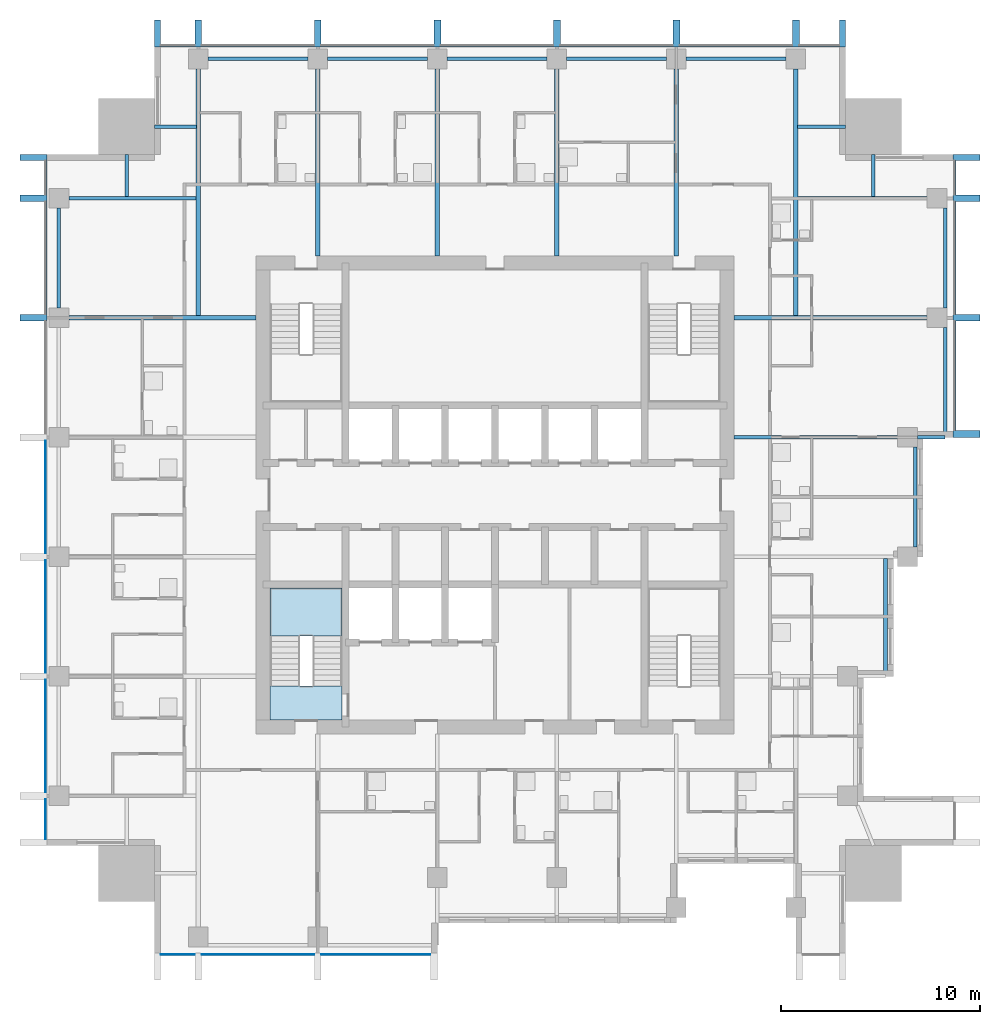
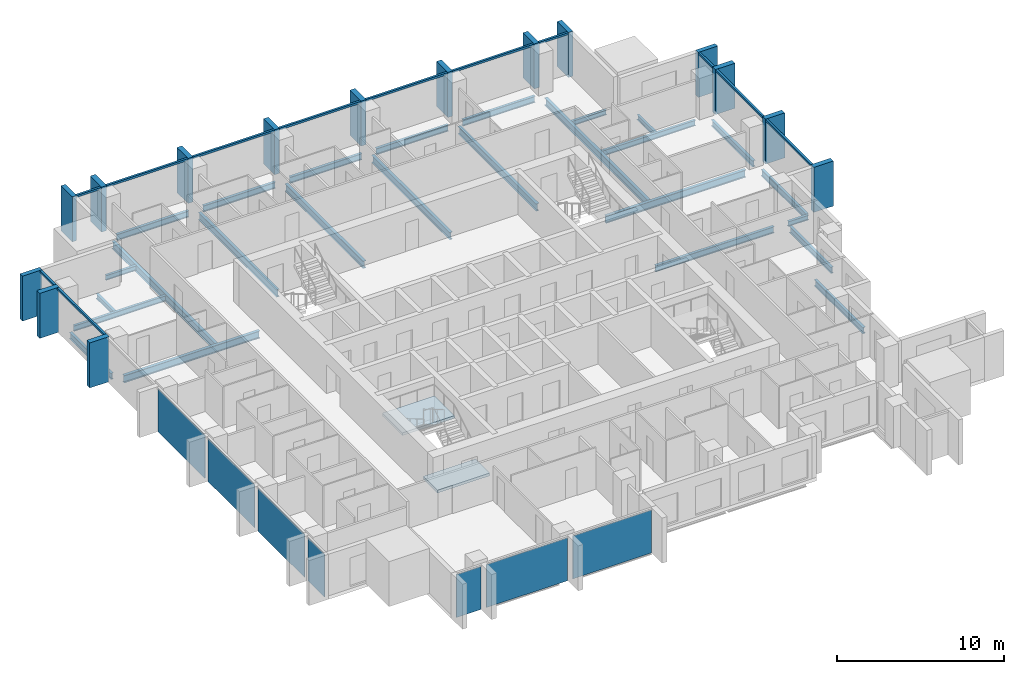
# One storey, part 2 of 10: 27 members, 26 beams, 7 plates, 2 slabs, 5 elements without a shape of their own.
"""IFC4 building model written with IfcOpenShell, lengths in metres."""

from ifc_helpers import new_model, si_unit, direction, frame, origin, origin_2d, place, context, subcontext, project, spatial, polyline, rectangle, i_section, outline, extrude, material, layer, layer_set, material_profile, profile_set, type_object, element, aggregate, save


model = new_model("IFC4")

# Units and contexts
model_context = context("Model", 3, precision=1e-05, world=origin(), true_north=direction((0.0, 1.0)))
body_context = subcontext(model_context, "Body", "Model", "MODEL_VIEW")
ifc_project = project(units=[si_unit("LENGTHUNIT", "METRE"), si_unit("AREAUNIT", "SQUARE_METRE"), si_unit("VOLUMEUNIT", "CUBIC_METRE"), si_unit("PLANEANGLEUNIT", "RADIAN"), si_unit("MASSUNIT", "GRAM", prefix="KILO")], contexts=[model_context])

# Site, building, storey
site_placement = place(None, origin())
site = spatial("IfcSite", under=ifc_project, at=site_placement, CompositionType="ELEMENT")
building_placement = place(site_placement, origin())
building = spatial("IfcBuilding", under=site, at=building_placement, Name="Amberfall Residences", CompositionType="ELEMENT")
storey_placement = place(building_placement, frame((0.0, 0.0, 158.199951171875)))
storey = spatial("IfcBuildingStorey", under=building, at=storey_placement, Name="L42", CompositionType="ELEMENT", Elevation=158.199951171875)

# Curtain wall, members
ifc_material_1 = material(Name="Bronze anodised aluminium and glass", Category="aluminium")
curtain_wall_type = type_object("IfcCurtainWallType", Name="Curtain wall CW1 tower unit", PredefinedType="USERDEFINED", material=ifc_material_1)
curtain_wall_1_placement = place(storey_placement, origin())
curtain_wall_1 = element("IfcCurtainWall", 1, at=curtain_wall_1_placement, inside=storey, type_object=curtain_wall_type, Name="Curtain wall L42 E E9", ObjectType="UNITISED CURTAIN WALL", PredefinedType="USERDEFINED")
ifc_material_2 = material(Name="Bronze anodised aluminium", Category="aluminium")
ifc_material_profile_1 = material_profile(ifc_material_2, rectangle(XDim=0.14990234375, YDim=0.14990234375, at=origin_2d()), Name="CW1 transom 150 x 150 bronze")
ifc_profile_set_1 = profile_set([ifc_material_profile_1], Name="Bronze anodised aluminium")
member_type_1 = type_object("IfcMemberType", Name="CW1 transom 150 x 150 bronze", PredefinedType="USERDEFINED", material=ifc_profile_set_1)
member_1_placement = place(storey_placement, frame((97.574951171875, 48.75, 2.97509765625), z_axis=(0.0, 1.0, 0.0), x_axis=(-1.0, 0.0, 0.0)))
member_1 = element("IfcMember", 2, at=member_1_placement, type_object=member_type_1, Name="CW1 transom 1.1", ObjectType="TRANSOM", PredefinedType="USERDEFINED", context=body_context, shape_type="SweptSolid", body=[
    extrude(rectangle(XDim=0.14990234375, YDim=0.14990234375, at=origin_2d()), origin(), (0.0, 0.0, 1.0), 5.47509765625),
])
member_2_placement = place(storey_placement, frame((97.574951171875, 54.574951171875, 2.97509765625), z_axis=(0.0, 1.0, 0.0), x_axis=(-1.0, 0.0, 0.0)))
member_2 = element("IfcMember", 3, at=member_2_placement, type_object=member_type_1, Name="CW1 transom 2.1", ObjectType="TRANSOM", PredefinedType="USERDEFINED", context=body_context, shape_type="SweptSolid", body=[
    extrude(rectangle(XDim=0.14990234375, YDim=0.14990234375, at=origin_2d()), origin(), (0.0, 0.0, 1.0), 5.650146484375),
])
member_3_placement = place(storey_placement, frame((97.574951171875, 60.574951171875, 2.97509765625), z_axis=(0.0, 1.0, 0.0), x_axis=(-1.0, 0.0, 0.0)))
member_3 = element("IfcMember", 4, at=member_3_placement, type_object=member_type_1, Name="CW1 transom 3.1", ObjectType="TRANSOM", PredefinedType="USERDEFINED", context=body_context, shape_type="SweptSolid", body=[
    extrude(rectangle(XDim=0.14990234375, YDim=0.14990234375, at=origin_2d()), origin(), (0.0, 0.0, 1.0), 1.72509765625),
])

curtain_wall_2_placement = place(storey_placement, origin())
curtain_wall_2 = element("IfcCurtainWall", 5, at=curtain_wall_2_placement, inside=storey, type_object=curtain_wall_type, Name="Curtain wall L42 N N1", ObjectType="UNITISED CURTAIN WALL", PredefinedType="USERDEFINED")
member_4_placement = place(storey_placement, frame((91.800048828125, 68.074951171875, 2.97509765625), z_axis=(-1.0, 0.0, 0.0), x_axis=(0.0, -1.0, 0.0)))
member_4 = element("IfcMember", 6, at=member_4_placement, type_object=member_type_1, Name="CW1 transom 1.1", ObjectType="TRANSOM", PredefinedType="USERDEFINED", context=body_context, shape_type="SweptSolid", body=[
    extrude(rectangle(XDim=0.14990234375, YDim=0.14990234375, at=origin_2d()), origin(), (0.0, 0.0, 1.0), 2.025146484375),
])
member_5_placement = place(storey_placement, frame((89.425048828125, 68.074951171875, 2.97509765625), z_axis=(-1.0, 0.0, 0.0), x_axis=(0.0, -1.0, 0.0)))
member_5 = element("IfcMember", 7, at=member_5_placement, type_object=member_type_1, Name="CW1 transom 2.1", ObjectType="TRANSOM", PredefinedType="USERDEFINED", context=body_context, shape_type="SweptSolid", body=[
    extrude(rectangle(XDim=0.14990234375, YDim=0.14990234375, at=origin_2d()), origin(), (0.0, 0.0, 1.0), 5.650146484375),
])
member_6_placement = place(storey_placement, frame((83.425048828125, 68.074951171875, 2.97509765625), z_axis=(-1.0, 0.0, 0.0), x_axis=(0.0, -1.0, 0.0)))
member_6 = element("IfcMember", 8, at=member_6_placement, type_object=member_type_1, Name="CW1 transom 3.1", ObjectType="TRANSOM", PredefinedType="USERDEFINED", context=body_context, shape_type="SweptSolid", body=[
    extrude(rectangle(XDim=0.14990234375, YDim=0.14990234375, at=origin_2d()), origin(), (0.0, 0.0, 1.0), 5.650146484375),
])
member_7_placement = place(storey_placement, frame((77.425048828125, 68.074951171875, 2.97509765625), z_axis=(-1.0, 0.0, 0.0), x_axis=(0.0, -1.0, 0.0)))
member_7 = element("IfcMember", 9, at=member_7_placement, type_object=member_type_1, Name="CW1 transom 4.1", ObjectType="TRANSOM", PredefinedType="USERDEFINED", context=body_context, shape_type="SweptSolid", body=[
    extrude(rectangle(XDim=0.14990234375, YDim=0.14990234375, at=origin_2d()), origin(), (0.0, 0.0, 1.0), 5.650146484375),
])
member_8_placement = place(storey_placement, frame((71.425048828125, 68.074951171875, 2.97509765625), z_axis=(-1.0, 0.0, 0.0), x_axis=(0.0, -1.0, 0.0)))
member_8 = element("IfcMember", 10, at=member_8_placement, type_object=member_type_1, Name="CW1 transom 5.1", ObjectType="TRANSOM", PredefinedType="USERDEFINED", context=body_context, shape_type="SweptSolid", body=[
    extrude(rectangle(XDim=0.14990234375, YDim=0.14990234375, at=origin_2d()), origin(), (0.0, 0.0, 1.0), 5.650146484375),
])
member_9_placement = place(storey_placement, frame((65.425048828125, 68.074951171875, 2.97509765625), z_axis=(-1.0, 0.0, 0.0), x_axis=(0.0, -1.0, 0.0)))
member_9 = element("IfcMember", 11, at=member_9_placement, type_object=member_type_1, Name="CW1 transom 6.1", ObjectType="TRANSOM", PredefinedType="USERDEFINED", context=body_context, shape_type="SweptSolid", body=[
    extrude(rectangle(XDim=0.14990234375, YDim=0.14990234375, at=origin_2d()), origin(), (0.0, 0.0, 1.0), 5.650146484375),
])
member_10_placement = place(storey_placement, frame((59.425048828125, 68.074951171875, 2.97509765625), z_axis=(-1.0, 0.0, 0.0), x_axis=(0.0, -1.0, 0.0)))
member_10 = element("IfcMember", 12, at=member_10_placement, type_object=member_type_1, Name="CW1 transom 7.1", ObjectType="TRANSOM", PredefinedType="USERDEFINED", context=body_context, shape_type="SweptSolid", body=[
    extrude(rectangle(XDim=0.14990234375, YDim=0.14990234375, at=origin_2d()), origin(), (0.0, 0.0, 1.0), 1.72509765625),
])

curtain_wall_3_placement = place(storey_placement, origin())
curtain_wall_3 = element("IfcCurtainWall", 13, at=curtain_wall_3_placement, inside=storey, type_object=curtain_wall_type, Name="Curtain wall L42 W W1", ObjectType="UNITISED CURTAIN WALL", PredefinedType="USERDEFINED")
member_11_placement = place(storey_placement, frame((51.925048828125, 62.300048828125, 2.97509765625), z_axis=(0.0, -1.0, 0.0), x_axis=(1.0, 0.0, 0.0)))
member_11 = element("IfcMember", 14, at=member_11_placement, type_object=member_type_1, Name="CW1 transom 1.1", ObjectType="TRANSOM", PredefinedType="USERDEFINED", context=body_context, shape_type="SweptSolid", body=[
    extrude(rectangle(XDim=0.14990234375, YDim=0.14990234375, at=origin_2d()), origin(), (0.0, 0.0, 1.0), 1.72509765625),
])
member_12_placement = place(storey_placement, frame((51.925048828125, 60.22509765625, 2.97509765625), z_axis=(0.0, -1.0, 0.0), x_axis=(1.0, 0.0, 0.0)))
member_12 = element("IfcMember", 15, at=member_12_placement, type_object=member_type_1, Name="CW1 transom 2.1", ObjectType="TRANSOM", PredefinedType="USERDEFINED", context=body_context, shape_type="SweptSolid", body=[
    extrude(rectangle(XDim=0.14990234375, YDim=0.14990234375, at=origin_2d()), origin(), (0.0, 0.0, 1.0), 5.650146484375),
])

# Beam
ifc_material_3 = material(Name="Steel S355", Category="steel")
ifc_material_profile_2 = material_profile(ifc_material_3, i_section(OverallWidth=0.171142578125, OverallDepth=0.351318359375, WebThickness=0.007080078125, FlangeThickness=0.009765625, FilletRadius=0.01025390625, at=origin_2d()), Name="UB 356x171x45")
ifc_profile_set_2 = profile_set([ifc_material_profile_2], Name="Steel S355")
beam_type_1 = type_object("IfcBeamType", Name="Cantilever girder UB 356x171x45", PredefinedType="BEAM", material=ifc_profile_set_2)
beam_1_placement = place(storey_placement, frame((95.699951171875, 48.39990234375, -0.425537109375), z_axis=(1.0, 0.0, 0.0), x_axis=(0.0, 1.0, 0.0)))
element("IfcBeam", 16, at=beam_1_placement, inside=storey, type_object=beam_type_1, Name="Cantilever girder B8 L42 20", PredefinedType="BEAM", context=body_context, shape_type="SweptSolid", body=[
    extrude(i_section(OverallWidth=0.171142578125, OverallDepth=0.351318359375, WebThickness=0.007080078125, FlangeThickness=0.009765625, FilletRadius=0.01025390625, at=origin_2d()), origin(), (0.0, 0.0, 1.0), 1.400146484375),
])

# Member
ifc_material_profile_3 = material_profile(ifc_material_2, rectangle(XDim=1.35009765625, YDim=0.300048828125, at=origin_2d()), Name="Corner fin 300 x 1350 bronze")
ifc_profile_set_3 = profile_set([ifc_material_profile_3], Name="Bronze anodised aluminium")
member_type_2 = type_object("IfcMemberType", Name="Corner fin 300 x 1350 bronze", PredefinedType="MULLION", material=ifc_profile_set_3)
member_13_placement = place(storey_placement, frame((98.175048828125, 62.449951171875, -0.25), z_axis=(0.0, 0.0, 1.0), x_axis=(-1.0, 0.0, 0.0)))
member_13 = element("IfcMember", 17, at=member_13_placement, type_object=member_type_2, Name="CW FIN 4", PredefinedType="MULLION", context=body_context, shape_type="SweptSolid", body=[
    extrude(rectangle(XDim=1.35009765625, YDim=0.300048828125, at=origin_2d()), origin(), (0.0, 0.0, 1.0), 3.300048828125),
])

member_14_placement = place(storey_placement, frame((91.949951171875, 68.675048828125, -0.25), z_axis=(0.0, 0.0, 1.0), x_axis=(0.0, -1.0, 0.0)))
member_14 = element("IfcMember", 18, at=member_14_placement, type_object=member_type_2, Name="CW FIN 1", PredefinedType="MULLION", context=body_context, shape_type="SweptSolid", body=[
    extrude(rectangle(XDim=1.35009765625, YDim=0.300048828125, at=origin_2d()), origin(), (0.0, 0.0, 1.0), 3.300048828125),
])

member_15_placement = place(storey_placement, frame((57.550048828125, 68.675048828125, -0.25), z_axis=(0.0, 0.0, 1.0), x_axis=(0.0, -1.0, 0.0)))
member_15 = element("IfcMember", 19, at=member_15_placement, type_object=member_type_2, Name="CW FIN 8", PredefinedType="MULLION", context=body_context, shape_type="SweptSolid", body=[
    extrude(rectangle(XDim=1.35009765625, YDim=0.300048828125, at=origin_2d()), origin(), (0.0, 0.0, 1.0), 3.300048828125),
])

member_16_placement = place(storey_placement, frame((51.324951171875, 62.449951171875, -0.25), z_axis=(0.0, 0.0, 1.0), x_axis=(1.0, 0.0, 0.0)))
member_16 = element("IfcMember", 20, at=member_16_placement, type_object=member_type_2, Name="CW FIN 1", PredefinedType="MULLION", context=body_context, shape_type="SweptSolid", body=[
    extrude(rectangle(XDim=1.35009765625, YDim=0.300048828125, at=origin_2d()), origin(), (0.0, 0.0, 1.0), 3.300048828125),
])

# Beams
ifc_material_profile_4 = material_profile(ifc_material_3, i_section(OverallWidth=0.18994140625, OverallDepth=0.453369140625, WebThickness=0.008544921875, FlangeThickness=0.0126953125, FilletRadius=0.01025390625, at=origin_2d()), Name="UB 457x191x67")
ifc_profile_set_4 = profile_set([ifc_material_profile_4], Name="Steel S355")
beam_type_2 = type_object("IfcBeamType", Name="Edge beam UB 457x191x67", PredefinedType="SPANDREL", material=ifc_profile_set_4)
beam_2_placement = place(storey_placement, frame((94.10009765625, 36.47998046875, -0.4765625), z_axis=(0.0, 1.0, 0.0), x_axis=(-1.0, 0.0, 0.0)))
element("IfcBeam", 21, at=beam_2_placement, inside=storey, type_object=beam_type_2, Name="Edge beam B1 L42 15", PredefinedType="SPANDREL", context=body_context, shape_type="SweptSolid", body=[
    extrude(i_section(OverallWidth=0.18994140625, OverallDepth=0.453369140625, WebThickness=0.008544921875, FlangeThickness=0.0126953125, FilletRadius=0.01025390625, at=origin_2d()), origin(), (0.0, 0.0, 1.0), 5.840087890625),
])
beam_3_placement = place(storey_placement, frame((95.60009765625, 42.89990234375, -0.4765625), z_axis=(0.0, 1.0, 0.0), x_axis=(-1.0, 0.0, 0.0)))
element("IfcBeam", 22, at=beam_3_placement, inside=storey, type_object=beam_type_2, Name="Edge beam B1 L42 16", PredefinedType="SPANDREL", context=body_context, shape_type="SweptSolid", body=[
    extrude(i_section(OverallWidth=0.18994140625, OverallDepth=0.453369140625, WebThickness=0.008544921875, FlangeThickness=0.0126953125, FilletRadius=0.01025390625, at=origin_2d()), origin(), (0.0, 0.0, 1.0), 5.0),
])
beam_4_placement = place(storey_placement, frame((97.10009765625, 48.47998046875, -0.4765625), z_axis=(0.0, 1.0, 0.0), x_axis=(-1.0, 0.0, 0.0)))
element("IfcBeam", 23, at=beam_4_placement, inside=storey, type_object=beam_type_2, Name="Edge beam B1 L42 17", PredefinedType="SPANDREL", context=body_context, shape_type="SweptSolid", body=[
    extrude(i_section(OverallWidth=0.18994140625, OverallDepth=0.453369140625, WebThickness=0.008544921875, FlangeThickness=0.0126953125, FilletRadius=0.01025390625, at=origin_2d()), origin(), (0.0, 0.0, 1.0), 5.419921875),
])
for number, where, z_axis, x_axis, name in (
    (24, (97.10009765625, 54.89990234375, -0.4765625), (0.0, 1.0, 0.0), (-1.0, 0.0, 0.0), "Edge beam B1 L42 18"),
    (25, (60.10009765625, 67.39990234375, -0.4765625), (1.0, 0.0, 0.0), (0.0, 1.0, 0.0), "Edge beam B1 L42 27"),
    (26, (66.10009765625, 67.39990234375, -0.4765625), (1.0, 0.0, 0.0), (0.0, 1.0, 0.0), "Edge beam B1 L42 28"),
    (27, (72.10009765625, 67.39990234375, -0.4765625), (1.0, 0.0, 0.0), (0.0, 1.0, 0.0), "Edge beam B1 L42 29"),
    (28, (78.10009765625, 67.39990234375, -0.4765625), (1.0, 0.0, 0.0), (0.0, 1.0, 0.0), "Edge beam B1 L42 30"),
    (29, (84.10009765625, 67.39990234375, -0.4765625), (1.0, 0.0, 0.0), (0.0, 1.0, 0.0), "Edge beam B1 L42 31"),
    (30, (52.60009765625, 54.89990234375, -0.4765625), (0.0, 1.0, 0.0), (-1.0, 0.0, 0.0), "Edge beam B1 L42 42"),
):
    element("IfcBeam", number, at=place(storey_placement, frame(where, z_axis=z_axis, x_axis=x_axis)), inside=storey, type_object=beam_type_2, Name=name, PredefinedType="SPANDREL", context=body_context, shape_type="SweptSolid", body=[
        extrude(i_section(OverallWidth=0.18994140625, OverallDepth=0.453369140625, WebThickness=0.008544921875, FlangeThickness=0.0126953125, FilletRadius=0.01025390625, at=origin_2d()), origin(), (0.0, 0.0, 1.0), 5.0),
    ])

# Member
ifc_material_profile_5 = material_profile(ifc_material_2, rectangle(XDim=1.35009765625, YDim=0.35009765625, at=origin_2d()), Name="Fin 350 x 1350 bronze")
ifc_profile_set_5 = profile_set([ifc_material_profile_5], Name="Bronze anodised aluminium")
member_type_3 = type_object("IfcMemberType", Name="Fin 350 x 1350 bronze", PredefinedType="MULLION", material=ifc_profile_set_5)
member_17_placement = place(storey_placement, frame((98.175048828125, 48.574951171875, -0.25), z_axis=(0.0, 0.0, 1.0), x_axis=(-1.0, 0.0, 0.0)))
member_17 = element("IfcMember", 31, at=member_17_placement, type_object=member_type_3, Name="CW FIN 1", PredefinedType="MULLION", context=body_context, shape_type="SweptSolid", body=[
    extrude(rectangle(XDim=1.35009765625, YDim=0.35009765625, at=origin_2d()), origin(), (0.0, 0.0, 1.0), 3.300048828125),
])

member_18_placement = place(storey_placement, frame((98.175048828125, 54.39990234375, -0.25), z_axis=(0.0, 0.0, 1.0), x_axis=(-1.0, 0.0, 0.0)))
member_18 = element("IfcMember", 32, at=member_18_placement, type_object=member_type_3, Name="CW FIN 2", PredefinedType="MULLION", context=body_context, shape_type="SweptSolid", body=[
    extrude(rectangle(XDim=1.35009765625, YDim=0.35009765625, at=origin_2d()), origin(), (0.0, 0.0, 1.0), 3.300048828125),
])

member_19_placement = place(storey_placement, frame((98.175048828125, 60.39990234375, -0.25), z_axis=(0.0, 0.0, 1.0), x_axis=(-1.0, 0.0, 0.0)))
member_19 = element("IfcMember", 33, at=member_19_placement, type_object=member_type_3, Name="CW FIN 3", PredefinedType="MULLION", context=body_context, shape_type="SweptSolid", body=[
    extrude(rectangle(XDim=1.35009765625, YDim=0.35009765625, at=origin_2d()), origin(), (0.0, 0.0, 1.0), 3.300048828125),
])

aggregate(curtain_wall_1, [member_17, member_18, member_19, member_13, member_1, member_2, member_3])

member_20_placement = place(storey_placement, frame((89.60009765625, 68.675048828125, -0.25), z_axis=(0.0, 0.0, 1.0), x_axis=(0.0, -1.0, 0.0)))
member_20 = element("IfcMember", 34, at=member_20_placement, type_object=member_type_3, Name="CW FIN 2", PredefinedType="MULLION", context=body_context, shape_type="SweptSolid", body=[
    extrude(rectangle(XDim=1.35009765625, YDim=0.35009765625, at=origin_2d()), origin(), (0.0, 0.0, 1.0), 3.300048828125),
])

member_21_placement = place(storey_placement, frame((83.60009765625, 68.675048828125, -0.25), z_axis=(0.0, 0.0, 1.0), x_axis=(0.0, -1.0, 0.0)))
member_21 = element("IfcMember", 35, at=member_21_placement, type_object=member_type_3, Name="CW FIN 3", PredefinedType="MULLION", context=body_context, shape_type="SweptSolid", body=[
    extrude(rectangle(XDim=1.35009765625, YDim=0.35009765625, at=origin_2d()), origin(), (0.0, 0.0, 1.0), 3.300048828125),
])

member_22_placement = place(storey_placement, frame((77.60009765625, 68.675048828125, -0.25), z_axis=(0.0, 0.0, 1.0), x_axis=(0.0, -1.0, 0.0)))
member_22 = element("IfcMember", 36, at=member_22_placement, type_object=member_type_3, Name="CW FIN 4", PredefinedType="MULLION", context=body_context, shape_type="SweptSolid", body=[
    extrude(rectangle(XDim=1.35009765625, YDim=0.35009765625, at=origin_2d()), origin(), (0.0, 0.0, 1.0), 3.300048828125),
])

member_23_placement = place(storey_placement, frame((71.60009765625, 68.675048828125, -0.25), z_axis=(0.0, 0.0, 1.0), x_axis=(0.0, -1.0, 0.0)))
member_23 = element("IfcMember", 37, at=member_23_placement, type_object=member_type_3, Name="CW FIN 5", PredefinedType="MULLION", context=body_context, shape_type="SweptSolid", body=[
    extrude(rectangle(XDim=1.35009765625, YDim=0.35009765625, at=origin_2d()), origin(), (0.0, 0.0, 1.0), 3.300048828125),
])

member_24_placement = place(storey_placement, frame((65.60009765625, 68.675048828125, -0.25), z_axis=(0.0, 0.0, 1.0), x_axis=(0.0, -1.0, 0.0)))
member_24 = element("IfcMember", 38, at=member_24_placement, type_object=member_type_3, Name="CW FIN 6", PredefinedType="MULLION", context=body_context, shape_type="SweptSolid", body=[
    extrude(rectangle(XDim=1.35009765625, YDim=0.35009765625, at=origin_2d()), origin(), (0.0, 0.0, 1.0), 3.300048828125),
])

member_25_placement = place(storey_placement, frame((59.60009765625, 68.675048828125, -0.25), z_axis=(0.0, 0.0, 1.0), x_axis=(0.0, -1.0, 0.0)))
member_25 = element("IfcMember", 39, at=member_25_placement, type_object=member_type_3, Name="CW FIN 7", PredefinedType="MULLION", context=body_context, shape_type="SweptSolid", body=[
    extrude(rectangle(XDim=1.35009765625, YDim=0.35009765625, at=origin_2d()), origin(), (0.0, 0.0, 1.0), 3.300048828125),
])

aggregate(curtain_wall_2, [member_14, member_20, member_21, member_22, member_23, member_24, member_25, member_15, member_4, member_5, member_6, member_7, member_8, member_9, member_10])

member_26_placement = place(storey_placement, frame((51.324951171875, 60.39990234375, -0.25), z_axis=(0.0, 0.0, 1.0), x_axis=(1.0, 0.0, 0.0)))
member_26 = element("IfcMember", 40, at=member_26_placement, type_object=member_type_3, Name="CW FIN 2", PredefinedType="MULLION", context=body_context, shape_type="SweptSolid", body=[
    extrude(rectangle(XDim=1.35009765625, YDim=0.35009765625, at=origin_2d()), origin(), (0.0, 0.0, 1.0), 3.300048828125),
])

member_27_placement = place(storey_placement, frame((51.324951171875, 54.39990234375, -0.25), z_axis=(0.0, 0.0, 1.0), x_axis=(1.0, 0.0, 0.0)))
member_27 = element("IfcMember", 41, at=member_27_placement, type_object=member_type_3, Name="CW FIN 3", PredefinedType="MULLION", context=body_context, shape_type="SweptSolid", body=[
    extrude(rectangle(XDim=1.35009765625, YDim=0.35009765625, at=origin_2d()), origin(), (0.0, 0.0, 1.0), 3.300048828125),
])

# Beams
ifc_material_profile_6 = material_profile(ifc_material_3, i_section(OverallWidth=0.177734375, OverallDepth=0.402587890625, WebThickness=0.0078125, FlangeThickness=0.010986328125, FilletRadius=0.01025390625, at=origin_2d()), Name="UB 406x178x54")
ifc_profile_set_6 = profile_set([ifc_material_profile_6], Name="Steel S355")
beam_type_3 = type_object("IfcBeamType", Name="Floor girder UB 406x178x54", PredefinedType="BEAM", material=ifc_profile_set_6)
beam_5_placement = place(storey_placement, frame((96.199951171875, 60.39990234375, -0.451171875), z_axis=(-1.0, 0.0, 0.0), x_axis=(0.0, -1.0, 0.0)))
element("IfcBeam", 42, at=beam_5_placement, inside=storey, type_object=beam_type_3, Name="Floor girder B4 L42 26", PredefinedType="BEAM", context=body_context, shape_type="SweptSolid", body=[
    extrude(i_section(OverallWidth=0.177734375, OverallDepth=0.402587890625, WebThickness=0.0078125, FlangeThickness=0.010986328125, FilletRadius=0.01025390625, at=origin_2d()), origin(), (0.0, 0.0, 1.0), 6.47998046875),
])
beam_6_placement = place(storey_placement, frame((53.10009765625, 60.39990234375, -0.451171875), z_axis=(1.0, 0.0, 0.0), x_axis=(0.0, 1.0, 0.0)))
element("IfcBeam", 43, at=beam_6_placement, inside=storey, type_object=beam_type_3, Name="Floor girder B4 L42 48", PredefinedType="BEAM", context=body_context, shape_type="SweptSolid", body=[
    extrude(i_section(OverallWidth=0.177734375, OverallDepth=0.402587890625, WebThickness=0.0078125, FlangeThickness=0.010986328125, FilletRadius=0.01025390625, at=origin_2d()), origin(), (0.0, 0.0, 1.0), 6.3798828125),
])
ifc_material_profile_7 = material_profile(ifc_material_3, i_section(OverallWidth=0.19140625, OverallDepth=0.4599609375, WebThickness=0.010009765625, FlangeThickness=0.01611328125, FilletRadius=0.01025390625, at=origin_2d()), Name="UB 457x191x82")
ifc_profile_set_7 = profile_set([ifc_material_profile_7], Name="Steel S355")
beam_type_4 = type_object("IfcBeamType", Name="Floor girder UB 457x191x82", PredefinedType="BEAM", material=ifc_profile_set_7)
beam_7_placement = place(storey_placement, frame((94.699951171875, 48.39990234375, -0.47998046875), z_axis=(-1.0, 0.0, 0.0), x_axis=(0.0, -1.0, 0.0)))
element("IfcBeam", 44, at=beam_7_placement, inside=storey, type_object=beam_type_4, Name="Floor girder B10 L42 24", PredefinedType="BEAM", context=body_context, shape_type="SweptSolid", body=[
    extrude(i_section(OverallWidth=0.19140625, OverallDepth=0.4599609375, WebThickness=0.010009765625, FlangeThickness=0.01611328125, FilletRadius=0.01025390625, at=origin_2d()), origin(), (0.0, 0.0, 1.0), 8.199951171875),
])
ifc_material_profile_8 = material_profile(ifc_material_3, i_section(OverallWidth=0.210693359375, OverallDepth=0.53955078125, WebThickness=0.01171875, FlangeThickness=0.018798828125, FilletRadius=0.0126953125, at=origin_2d()), Name="UB 533x210x109")
ifc_profile_set_8 = profile_set([ifc_material_profile_8], Name="Steel S355")
beam_type_5 = type_object("IfcBeamType", Name="Floor girder UB 533x210x109", PredefinedType="BEAM", material=ifc_profile_set_8)
for number, where, z_axis, x_axis, name in (
    (45, (59.60009765625, 66.89990234375, -0.519775390625), (0.0, -1.0, 0.0), (1.0, 0.0, 0.0), "Floor girder B2 L42 32"),
    (46, (89.60009765625, 66.89990234375, -0.519775390625), (0.0, -1.0, 0.0), (1.0, 0.0, 0.0), "Floor girder B2 L42 37"),
):
    element("IfcBeam", number, at=place(storey_placement, frame(where, z_axis=z_axis, x_axis=x_axis)), inside=storey, type_object=beam_type_5, Name=name, PredefinedType="BEAM", context=body_context, shape_type="SweptSolid", body=[
        extrude(i_section(OverallWidth=0.210693359375, OverallDepth=0.53955078125, WebThickness=0.01171875, FlangeThickness=0.018798828125, FilletRadius=0.0126953125, at=origin_2d()), origin(), (0.0, 0.0, 1.0), 12.400390625),
    ])
ifc_material_profile_9 = material_profile(ifc_material_3, i_section(OverallWidth=0.209228515625, OverallDepth=0.533203125, WebThickness=0.010009765625, FlangeThickness=0.015625, FilletRadius=0.0126953125, at=origin_2d()), Name="UB 533x210x92")
ifc_profile_set_9 = profile_set([ifc_material_profile_9], Name="Steel S355")
beam_type_6 = type_object("IfcBeamType", Name="Floor girder UB 533x210x92", PredefinedType="BEAM", material=ifc_profile_set_9)
beam_8_placement = place(storey_placement, frame((96.199951171875, 54.39990234375, -0.5166015625), z_axis=(-1.0, 0.0, 0.0), x_axis=(0.0, -1.0, 0.0)))
element("IfcBeam", 47, at=beam_8_placement, inside=storey, type_object=beam_type_6, Name="Floor girder B3 L42 25", PredefinedType="BEAM", context=body_context, shape_type="SweptSolid", body=[
    extrude(i_section(OverallWidth=0.209228515625, OverallDepth=0.533203125, WebThickness=0.010009765625, FlangeThickness=0.015625, FilletRadius=0.0126953125, at=origin_2d()), origin(), (0.0, 0.0, 1.0), 9.699951171875),
])
for number, where, z_axis, x_axis, name in (
    (48, (65.60009765625, 66.89990234375, -0.5166015625), (0.0, -1.0, 0.0), (1.0, 0.0, 0.0), "Floor girder B3 L42 33"),
    (49, (71.60009765625, 66.89990234375, -0.5166015625), (0.0, -1.0, 0.0), (1.0, 0.0, 0.0), "Floor girder B3 L42 34"),
    (50, (77.60009765625, 66.89990234375, -0.5166015625), (0.0, -1.0, 0.0), (1.0, 0.0, 0.0), "Floor girder B3 L42 35"),
    (51, (83.60009765625, 66.89990234375, -0.5166015625), (0.0, -1.0, 0.0), (1.0, 0.0, 0.0), "Floor girder B3 L42 36"),
    (52, (53.10009765625, 54.39990234375, -0.5166015625), (1.0, 0.0, 0.0), (0.0, 1.0, 0.0), "Floor girder B3 L42 47"),
):
    element("IfcBeam", number, at=place(storey_placement, frame(where, z_axis=z_axis, x_axis=x_axis)), inside=storey, type_object=beam_type_6, Name=name, PredefinedType="BEAM", context=body_context, shape_type="SweptSolid", body=[
        extrude(i_section(OverallWidth=0.209228515625, OverallDepth=0.533203125, WebThickness=0.010009765625, FlangeThickness=0.015625, FilletRadius=0.0126953125, at=origin_2d()), origin(), (0.0, 0.0, 1.0), 9.39990234375),
    ])
ifc_material_profile_10 = material_profile(ifc_material_3, i_section(OverallWidth=0.171142578125, OverallDepth=0.351318359375, WebThickness=0.007080078125, FlangeThickness=0.009765625, FilletRadius=0.01025390625, at=origin_2d()), Name="UB 356x171x45")
ifc_profile_set_10 = profile_set([ifc_material_profile_10], Name="Steel S355")
beam_type_7 = type_object("IfcBeamType", Name="Link beam UB 356x171x45", PredefinedType="BEAM", material=ifc_profile_set_10)
beam_9_placement = place(storey_placement, frame((92.10009765625, 64.0, -0.425537109375), z_axis=(-1.0, 0.0, 0.0), x_axis=(0.0, -1.0, 0.0)))
element("IfcBeam", 53, at=beam_9_placement, inside=storey, type_object=beam_type_7, Name="Link beam B7 L42 53", PredefinedType="BEAM", context=body_context, shape_type="SweptSolid", body=[
    extrude(i_section(OverallWidth=0.171142578125, OverallDepth=0.351318359375, WebThickness=0.007080078125, FlangeThickness=0.009765625, FilletRadius=0.01025390625, at=origin_2d()), origin(), (0.0, 0.0, 1.0), 2.40478515625),
])
beam_10_placement = place(storey_placement, frame((93.5, 62.60009765625, -0.425537109375), z_axis=(0.0, -1.0, 0.0), x_axis=(1.0, 0.0, 0.0)))
element("IfcBeam", 54, at=beam_10_placement, inside=storey, type_object=beam_type_7, Name="Link beam B7 L42 54", PredefinedType="BEAM", context=body_context, shape_type="SweptSolid", body=[
    extrude(i_section(OverallWidth=0.171142578125, OverallDepth=0.351318359375, WebThickness=0.007080078125, FlangeThickness=0.009765625, FilletRadius=0.01025390625, at=origin_2d()), origin(), (0.0, 0.0, 1.0), 2.12109375),
])
beam_11_placement = place(storey_placement, frame((57.39990234375, 64.0, -0.425537109375), z_axis=(1.0, 0.0, 0.0), x_axis=(0.0, 1.0, 0.0)))
element("IfcBeam", 55, at=beam_11_placement, inside=storey, type_object=beam_type_7, Name="Link beam B7 L42 55", PredefinedType="BEAM", context=body_context, shape_type="SweptSolid", body=[
    extrude(i_section(OverallWidth=0.171142578125, OverallDepth=0.351318359375, WebThickness=0.007080078125, FlangeThickness=0.009765625, FilletRadius=0.01025390625, at=origin_2d()), origin(), (0.0, 0.0, 1.0), 2.104736328125),
])
beam_12_placement = place(storey_placement, frame((56.0, 62.60009765625, -0.425537109375), z_axis=(0.0, -1.0, 0.0), x_axis=(1.0, 0.0, 0.0)))
element("IfcBeam", 56, at=beam_12_placement, inside=storey, type_object=beam_type_7, Name="Link beam B7 L42 56", PredefinedType="BEAM", context=body_context, shape_type="SweptSolid", body=[
    extrude(i_section(OverallWidth=0.171142578125, OverallDepth=0.351318359375, WebThickness=0.007080078125, FlangeThickness=0.009765625, FilletRadius=0.01025390625, at=origin_2d()), origin(), (0.0, 0.0, 1.0), 2.12109375),
])

# Curtain wall, plates
curtain_wall_4_placement = place(storey_placement, origin())
curtain_wall_4 = element("IfcCurtainWall", 57, at=curtain_wall_4_placement, inside=storey, type_object=curtain_wall_type, Name="Curtain wall L42 S S1", ObjectType="UNITISED CURTAIN WALL", PredefinedType="USERDEFINED")
ifc_material_4 = material(Name="Tinted double glazed unit", Category="glass")
ifc_layer_1 = layer(ifc_material_4, 0.035888671875)
ifc_layer_set_1 = layer_set([ifc_layer_1], Name="CW1 panel 36 glazing")
plate_type = type_object("IfcPlateType", Name="CW1 panel 36 glazing", PredefinedType="CURTAIN_PANEL", material=ifc_layer_set_1)
plate_1_placement = place(storey_placement, frame((58.5625, 22.425048828125, -0.25), z_axis=(0.0, 0.0, 1.0), x_axis=(1.0, 0.0, 0.0)))
plate_1 = element("IfcPlate", 58, at=plate_1_placement, type_object=plate_type, Name="CW1 panel 1.1", PredefinedType="CURTAIN_PANEL", context=body_context, shape_type="SweptSolid", body=[
    extrude(rectangle(XDim=1.700927734375, YDim=0.035888671875, at=origin_2d()), origin(), (0.0, 0.0, 1.0), 3.14990234375),
])
plate_2_placement = place(storey_placement, frame((62.60009765625, 22.425048828125, -0.25), z_axis=(0.0, 0.0, 1.0), x_axis=(1.0, 0.0, 0.0)))
plate_2 = element("IfcPlate", 59, at=plate_2_placement, type_object=plate_type, Name="CW1 panel 2.1", PredefinedType="CURTAIN_PANEL", context=body_context, shape_type="SweptSolid", body=[
    extrude(rectangle(XDim=5.6259765625, YDim=0.035888671875, at=origin_2d()), origin(), (0.0, 0.0, 1.0), 3.14990234375),
])
plate_3_placement = place(storey_placement, frame((68.512451171875, 22.425048828125, -0.25), z_axis=(0.0, 0.0, 1.0), x_axis=(1.0, 0.0, 0.0)))
plate_3 = element("IfcPlate", 60, at=plate_3_placement, type_object=plate_type, Name="CW1 panel 3.1", PredefinedType="CURTAIN_PANEL", context=body_context, shape_type="SweptSolid", body=[
    extrude(rectangle(XDim=5.450927734375, YDim=0.035888671875, at=origin_2d()), origin(), (0.0, 0.0, 1.0), 3.14990234375),
])
aggregate(curtain_wall_4, [plate_1, plate_2, plate_3])

# Plate
plate_4_placement = place(storey_placement, frame((51.925048828125, 45.39990234375, -0.25), z_axis=(0.0, 0.0, 1.0), x_axis=(0.0, -1.0, 0.0)))
plate_4 = element("IfcPlate", 61, at=plate_4_placement, type_object=plate_type, Name="CW1 panel 4.1", PredefinedType="CURTAIN_PANEL", context=body_context, shape_type="SweptSolid", body=[
    extrude(rectangle(XDim=5.6259765625, YDim=0.035888671875, at=origin_2d()), origin(), (0.0, 0.0, 1.0), 3.14990234375),
])

plate_5_placement = place(storey_placement, frame((51.925048828125, 39.39990234375, -0.25), z_axis=(0.0, 0.0, 1.0), x_axis=(0.0, -1.0, 0.0)))
plate_5 = element("IfcPlate", 62, at=plate_5_placement, type_object=plate_type, Name="CW1 panel 5.1", PredefinedType="CURTAIN_PANEL", context=body_context, shape_type="SweptSolid", body=[
    extrude(rectangle(XDim=5.6259765625, YDim=0.035888671875, at=origin_2d()), origin(), (0.0, 0.0, 1.0), 3.14990234375),
])

plate_6_placement = place(storey_placement, frame((51.925048828125, 33.39990234375, -0.25), z_axis=(0.0, 0.0, 1.0), x_axis=(0.0, -1.0, 0.0)))
plate_6 = element("IfcPlate", 63, at=plate_6_placement, type_object=plate_type, Name="CW1 panel 6.1", PredefinedType="CURTAIN_PANEL", context=body_context, shape_type="SweptSolid", body=[
    extrude(rectangle(XDim=5.6259765625, YDim=0.035888671875, at=origin_2d()), origin(), (0.0, 0.0, 1.0), 3.14990234375),
])

plate_7_placement = place(storey_placement, frame((51.925048828125, 29.21240234375, -0.25), z_axis=(0.0, 0.0, 1.0), x_axis=(0.0, -1.0, 0.0)))
plate_7 = element("IfcPlate", 64, at=plate_7_placement, type_object=plate_type, Name="CW1 panel 7.1", PredefinedType="CURTAIN_PANEL", context=body_context, shape_type="SweptSolid", body=[
    extrude(rectangle(XDim=2.0009765625, YDim=0.035888671875, at=origin_2d()), origin(), (0.0, 0.0, 1.0), 3.14990234375),
])

aggregate(curtain_wall_3, [member_16, member_26, member_27, member_11, member_12, plate_4, plate_5, plate_6, plate_7])

# Stair, slabs
ifc_material_5 = material(Name="Concrete C40", Category="concrete")
stair_type = type_object("IfcStairType", Name="Exit stair 20 risers 165.0 mm", PredefinedType="HALF_TURN_STAIR", material=ifc_material_5)
stair_placement = place(storey_placement, origin())
stair = element("IfcStair", 65, at=stair_placement, inside=storey, type_object=stair_type, Name="L42 Exit stair 1", PredefinedType="HALF_TURN_STAIR")
ifc_layer_2 = layer(ifc_material_5, 0.199951171875)
ifc_layer_set_2 = layer_set([ifc_layer_2], Name="Stair landing 200")
slab_type = type_object("IfcSlabType", Name="Stair landing 200", PredefinedType="LANDING", material=ifc_layer_set_2)
slab_1_placement = place(storey_placement, frame((0.0, 0.0, 1.449951171875)))
slab_1 = element("IfcSlab", 66, at=slab_1_placement, type_object=slab_type, Name="ST3 landing 1", PredefinedType="LANDING", context=body_context, shape_type="SweptSolid", body=[
    extrude(outline(polyline([(66.824951171875, 38.419921875), (66.824951171875, 40.824951171875), (63.199951171875, 40.824951171875), (63.199951171875, 38.419921875), (66.824951171875, 38.419921875)])), origin(), (0.0, 0.0, 1.0), 0.2001953125),
])
slab_2_placement = place(storey_placement, frame((0.0, 0.0, -0.199951171875)))
slab_2 = element("IfcSlab", 67, at=slab_2_placement, type_object=slab_type, Name="ST3 landing 2", PredefinedType="LANDING", context=body_context, shape_type="SweptSolid", body=[
    extrude(outline(polyline([(66.824951171875, 34.199951171875), (66.824951171875, 35.89990234375), (63.199951171875, 35.89990234375), (63.199951171875, 34.199951171875), (66.824951171875, 34.199951171875)])), origin(), (0.0, 0.0, 1.0), 0.199951171875),
])
aggregate(stair, [slab_1, slab_2])

save(model, "model.ifc")
